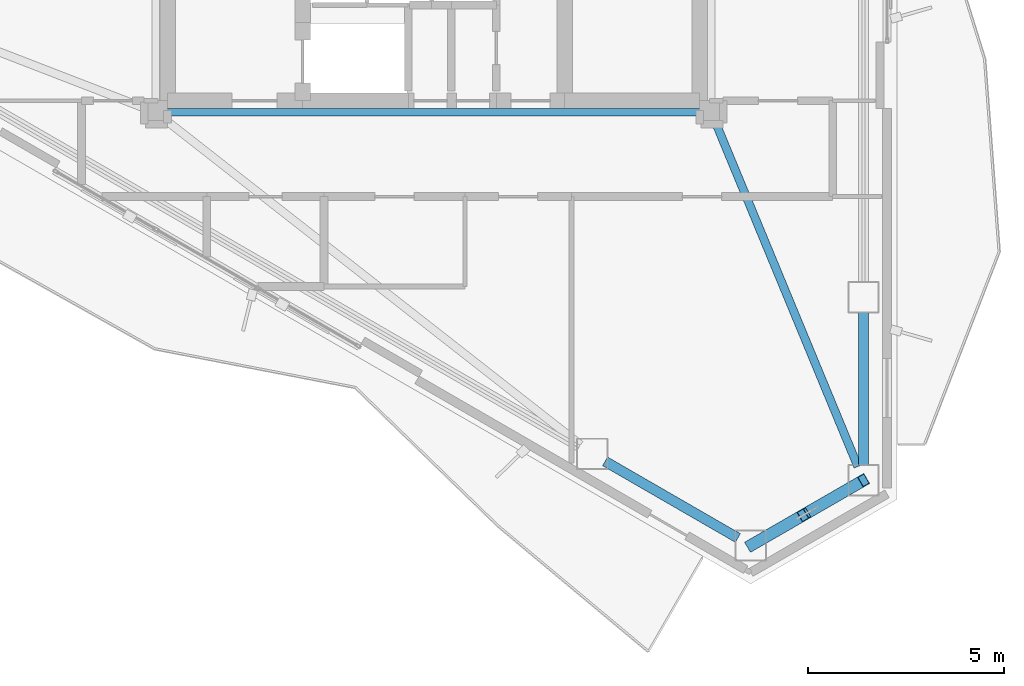
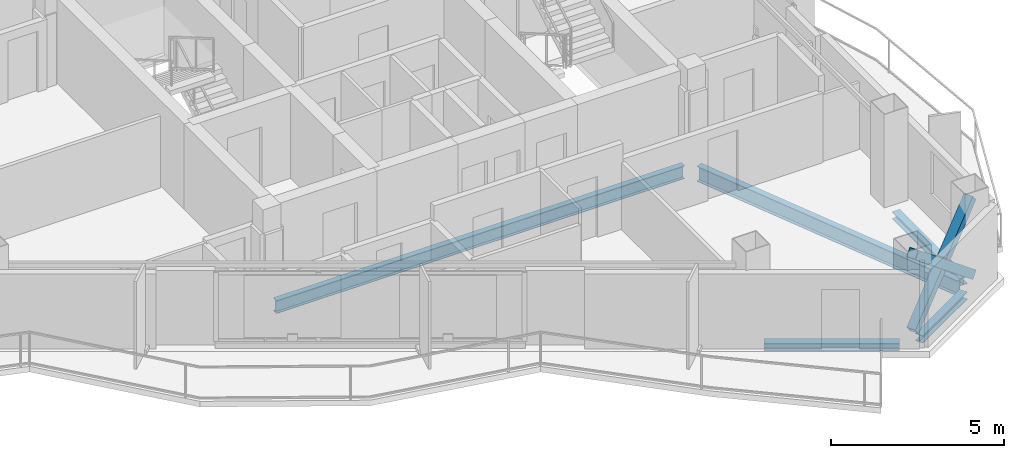
# One storey, part 5 of 21: 5 beams, 3 members.
"""IFC4 building model written with IfcOpenShell, lengths in metres."""

import ifcopenshell
import ifcopenshell.guid

model = None  # the IFC model being written
_history = None  # IfcOwnerHistory: only IFC2X3 demands one
_inside = {}  # id of a spatial element -> (the spatial element, [elements in it])
_under = {}  # id of a project, library or spatial element -> (it, [spatial elements below it])
_declared = {}  # id of a project -> (the project, [libraries it declares])
_typed = {}  # id of a type object -> (the type object, [elements of that type])
_made_of = {}  # id of a material, layer set ... -> (it, [elements and type objects made of it])


def new_model(schema):
    """Start an empty IFC model of exactly this schema.

    Asked for "IFC4X3", IfcOpenShell would pick the latest addendum, in which some entities
    have other attributes; the version numbers below select the first issue.
    IFC2X3 requires an IfcOwnerHistory on every rooted entity: one is made here for all.
    """
    global model, _history
    if schema == "IFC4X3":
        model = ifcopenshell.file(schema_version=(4, 3, 0, 0))
    else:
        model = ifcopenshell.file(schema=schema)
    _inside.clear()
    _under.clear()
    _declared.clear()
    _typed.clear()
    _made_of.clear()
    _history = None
    if model.schema == "IFC2X3":
        org = make("IfcOrganization", Name="unknown")
        user = make(
            "IfcPersonAndOrganization",
            ThePerson=make("IfcPerson", FamilyName="unknown"),
            TheOrganization=org,
        )
        app = make(
            "IfcApplication",
            ApplicationDeveloper=org,
            Version="unknown",
            ApplicationFullName="unknown",
            ApplicationIdentifier="unknown",
        )
        _history = make(
            "IfcOwnerHistory",
            OwningUser=user,
            OwningApplication=app,
            ChangeAction="ADDED",
            CreationDate=0,
        )
    return model


def make(cls, **values):
    """One entity of the class cls with the attributes given. An attribute that is None is left unset."""
    return model.create_entity(
        cls, **{name: value for name, value in values.items() if value is not None}
    )


def rooted(cls, **values):
    """An entity with a GlobalId (a new one), such as an element, a storey or a relation."""
    return make(cls, GlobalId=ifcopenshell.guid.new(), OwnerHistory=_history, **values)


def si_unit(unit_type, name, prefix=None):
    """IfcSIUnit, for example si_unit("LENGTHUNIT", "METRE", prefix="MILLI")."""
    return make("IfcSIUnit", UnitType=unit_type, Prefix=prefix, Name=name)


def assignment(units):
    """IfcUnitAssignment: the units of a project."""
    return None if units is None else make("IfcUnitAssignment", Units=units)


def point(xyz):
    """IfcCartesianPoint."""
    return None if xyz is None else make("IfcCartesianPoint", Coordinates=xyz)


def direction(xyz):
    """IfcDirection."""
    return None if xyz is None else make("IfcDirection", DirectionRatios=xyz)


def frame(location, z_axis=None, x_axis=None):
    """IfcAxis2Placement3D, a coordinate frame: its origin and axes. An axis left out is left unset."""
    return make(
        "IfcAxis2Placement3D",
        Location=point(location),
        Axis=direction(z_axis),
        RefDirection=direction(x_axis),
    )


def frame_2d(location, x_axis=None):
    """IfcAxis2Placement2D, a coordinate frame in the plane: its origin and x axis."""
    return make(
        "IfcAxis2Placement2D", Location=point(location), RefDirection=direction(x_axis)
    )


def origin():
    """The frame at (0, 0, 0) with its axes left unset."""
    return frame((0.0, 0.0, 0.0))


def origin_2d():
    """The frame at (0, 0) in the plane with its x axis left unset."""
    return frame_2d((0.0, 0.0))


def place(relative_to, where):
    """IfcLocalPlacement: puts the frame where relative to a parent placement (None: the world)."""
    return make(
        "IfcLocalPlacement", PlacementRelTo=relative_to, RelativePlacement=where
    )


def context(
    kind, dimensions, precision=None, world=None, true_north=None, identifier=None
):
    """IfcGeometricRepresentationContext, for example the 3D "Model" context."""
    return make(
        "IfcGeometricRepresentationContext",
        ContextIdentifier=identifier,
        ContextType=kind,
        CoordinateSpaceDimension=dimensions,
        Precision=precision,
        WorldCoordinateSystem=world,
        TrueNorth=true_north,
    )


def subcontext(parent, identifier, kind, view, scale=None):
    """IfcGeometricRepresentationSubContext, for example "Body" below "Model"."""
    return make(
        "IfcGeometricRepresentationSubContext",
        ContextIdentifier=identifier,
        ContextType=kind,
        ParentContext=parent,
        TargetScale=scale,
        TargetView=view,
    )


def project(units=None, contexts=None):
    """IfcProject with its units and contexts."""
    return rooted(
        "IfcProject",
        Name="project",
        RepresentationContexts=contexts,
        UnitsInContext=assignment(units),
    )


def spatial(cls, under=None, at=None, **own):
    """A site, building, storey or space (cls), placed at a placement, below another one or the project."""
    s = rooted(cls, ObjectPlacement=at, **own)
    if under is not None:
        _under.setdefault(under.id(), (under, []))[1].append(s)
    return s


def profile(cls, at=None, kind="AREA", **sizes):
    """A parametric profile (cls). Its sizes go by their IFC names, for example OverallWidth=200.0."""
    return make(cls, ProfileType=kind, Position=at, **sizes)


def hollow_rectangle(**sizes):
    """IfcRectangleHollowProfileDef."""
    return profile("IfcRectangleHollowProfileDef", **sizes)


def i_section(**sizes):
    """IfcIShapeProfileDef."""
    return profile("IfcIShapeProfileDef", **sizes)


def extrude(swept, where, along, depth):
    """IfcExtrudedAreaSolid: the profile swept, set in the frame where, extruded along a direction by depth."""
    return make(
        "IfcExtrudedAreaSolid",
        SweptArea=swept,
        Position=where,
        ExtrudedDirection=direction(along),
        Depth=depth,
    )


def shape(context_of_items, identifier, shape_type, items):
    """IfcShapeRepresentation: the items that make up one representation, for example the "Body"."""
    return make(
        "IfcShapeRepresentation",
        ContextOfItems=context_of_items,
        RepresentationIdentifier=identifier,
        RepresentationType=shape_type,
        Items=items,
    )


def material(Name=None, Category=None):
    """IfcMaterial."""
    return make("IfcMaterial", Name=Name, Category=Category)


def material_profile(
    of_material, cross_section, Name=None, Category=None, Priority=None
):
    """IfcMaterialProfile: a cross section and its material."""
    return make(
        "IfcMaterialProfile",
        Name=Name,
        Material=of_material,
        Profile=cross_section,
        Priority=Priority,
        Category=Category,
    )


def profile_set(profiles, Name=None, composite=None):
    """IfcMaterialProfileSet."""
    return make(
        "IfcMaterialProfileSet",
        Name=Name,
        MaterialProfiles=profiles,
        CompositeProfile=composite,
    )


def made_of(thing, what):
    """Note that an element or type object is made of a material, layer set ...; save() writes the relation."""
    if what is not None:
        _made_of.setdefault(what.id(), (what, []))[1].append(thing)
    return thing


def type_object(cls, material=None, **own):
    """A type object (cls), such as IfcWallType, which elements share."""
    return made_of(rooted(cls, **own), material)


def element(
    cls,
    number,
    at=None,
    inside=None,
    cuts=None,
    type_object=None,
    material=None,
    context=None,
    identifier="Body",
    shape_type=None,
    held_by="IfcProductDefinitionShape",
    body=None,
    shapes=None,
    **own,
):
    """One element of the class cls, such as IfcWall. Its Tag is "e" and its number.

    at: its placement. inside: the storey or other place that contains it. cuts: it is an
    opening in that element (IfcRelVoidsElement). A single representation is given by context,
    identifier, shape_type and body (its items); several are given by shapes. held_by: the class
    of the entity that holds the representations. save() writes the other relations.
    """
    e = rooted(cls, Tag="e%d" % number, ObjectPlacement=at, **own)
    if body is not None:
        shapes = [shape(context, identifier, shape_type, body)]
    if shapes is not None:
        e.Representation = make(held_by, Representations=shapes)
    if inside is not None:
        _inside.setdefault(inside.id(), (inside, []))[1].append(e)
    if cuts is not None:
        rooted(
            "IfcRelVoidsElement", RelatingBuildingElement=cuts, RelatedOpeningElement=e
        )
    if type_object is not None:
        _typed.setdefault(type_object.id(), (type_object, []))[1].append(e)
    return made_of(e, material)


def aggregate(whole, parts):
    """IfcRelAggregates: a whole, such as a stair, and the parts it consists of."""
    return rooted("IfcRelAggregates", RelatingObject=whole, RelatedObjects=parts)


def save(model, path):
    """Write the relations noted so far, then the file.

    IfcRelAggregates (storeys below a building ...), IfcRelContainedInSpatialStructure (elements
    in a storey), IfcRelDefinesByType, IfcRelAssociatesMaterial and IfcRelDeclares: one each for
    every whole, place, type object, material and project.
    """
    for whole, parts in _under.values():
        aggregate(whole, parts)
    for where, things in _inside.values():
        rooted(
            "IfcRelContainedInSpatialStructure",
            RelatedElements=things,
            RelatingStructure=where,
        )
    for kind, things in _typed.values():
        rooted("IfcRelDefinesByType", RelatedObjects=things, RelatingType=kind)
    for what, things in _made_of.values():
        rooted("IfcRelAssociatesMaterial", RelatedObjects=things, RelatingMaterial=what)
    for by, libraries in _declared.values():
        rooted("IfcRelDeclares", RelatingContext=by, RelatedDefinitions=libraries)
    model.write(path)


model = new_model("IFC4")

# Units and contexts
model_context = context("Model", 3, precision=1e-05, world=origin(), true_north=direction((0.0, 1.0)))
body_context = subcontext(model_context, "Body", "Model", "MODEL_VIEW")
ifc_project = project(units=[si_unit("LENGTHUNIT", "METRE"), si_unit("AREAUNIT", "SQUARE_METRE"), si_unit("VOLUMEUNIT", "CUBIC_METRE"), si_unit("PLANEANGLEUNIT", "RADIAN"), si_unit("MASSUNIT", "GRAM", prefix="KILO")], contexts=[model_context])

# Site, building, storey
site_placement = place(None, origin())
site = spatial("IfcSite", under=ifc_project, at=site_placement, CompositionType="ELEMENT")
building_placement = place(site_placement, origin())
building = spatial("IfcBuilding", under=site, at=building_placement, Name="Mersakhor Tower and Convention Hall", CompositionType="ELEMENT")
storey_placement = place(building_placement, frame((0.0, 0.0, 215.10009765625)))
storey = spatial("IfcBuildingStorey", under=building, at=storey_placement, Name="L60", CompositionType="ELEMENT", Elevation=215.10009765625)

# Beams
ifc_material_1 = material(Name="Steel S355", Category="steel")
ifc_material_profile_1 = material_profile(ifc_material_1, i_section(OverallWidth=0.19140625, OverallDepth=0.4599609375, WebThickness=0.010009765625, FlangeThickness=0.01611328125, at=origin_2d()), Name="UB 457x191x82")
ifc_profile_set_1 = profile_set([ifc_material_profile_1], Name="Steel S355")
beam_type_1 = type_object("IfcBeamType", Name="BM-FB-457", PredefinedType="BEAM", material=ifc_profile_set_1)
beam_1_placement = place(storey_placement, frame((35.820068359375, 20.449951171875, -0.460205078125), z_axis=(-1.0, 0.0, 0.0), x_axis=(0.0, -1.0, 0.0)))
element("IfcBeam", 1, at=beam_1_placement, inside=storey, type_object=beam_type_1, Name="L60 Core Ring Tie Beam CRB-4", PredefinedType="BEAM", context=body_context, shape_type="SweptSolid", body=[
    extrude(i_section(OverallWidth=0.19140625, OverallDepth=0.4599609375, WebThickness=0.010009765625, FlangeThickness=0.01611328125, at=origin_2d()), origin(), (0.0, 0.0, 1.0), 13.64013671875),
])
ifc_material_2 = material(Name="Steel S355", Category="steel")
ifc_material_profile_2 = material_profile(ifc_material_2, i_section(OverallWidth=0.2099609375, OverallDepth=0.53662109375, WebThickness=0.0107421875, FlangeThickness=0.017333984375, at=origin_2d()), Name="UB 533x210x101")
ifc_profile_set_2 = profile_set([ifc_material_profile_2], Name="Steel S355")
beam_type_2 = type_object("IfcBeamType", Name="BM-FB-533", PredefinedType="BEAM", material=ifc_profile_set_2)
beam_2_placement = place(storey_placement, frame((36.20703125, 20.19140625, -0.498291015625), z_axis=(0.382178028302, -0.924088715808, 0.0), x_axis=(0.924088715808, 0.382178028302, 0.0)))
element("IfcBeam", 2, at=beam_2_placement, inside=storey, type_object=beam_type_2, Name="L60 Primary Floor Girder FG-4", PredefinedType="BEAM", context=body_context, shape_type="SweptSolid", body=[
    extrude(i_section(OverallWidth=0.2099609375, OverallDepth=0.53662109375, WebThickness=0.0107421875, FlangeThickness=0.017333984375, at=origin_2d()), origin(), (0.0, 0.0, 1.0), 9.514404296875),
])
ifc_material_3 = material(Name="Steel S355", Category="steel")
ifc_material_profile_3 = material_profile(ifc_material_3, i_section(OverallWidth=0.25634765625, OverallDepth=0.26025390625, WebThickness=0.01025390625, FlangeThickness=0.017333984375, at=origin_2d()), Name="UC 254x254x89")
ifc_profile_set_3 = profile_set([ifc_material_profile_3], Name="Steel S355")
beam_type_3 = type_object("IfcBeamType", Name="BM-SPD-UC254", PredefinedType="SPANDREL", material=ifc_profile_set_3)
beam_3_placement = place(storey_placement, frame((39.98828125, 15.34716796875, -0.360107421875), z_axis=(0.0, -1.0, 0.0), x_axis=(1.0, 0.0, 0.0)))
element("IfcBeam", 3, at=beam_3_placement, inside=storey, type_object=beam_type_3, Name="L60 Perimeter Spandrel Beam SPB-07", PredefinedType="SPANDREL", context=body_context, shape_type="SweptSolid", body=[
    extrude(i_section(OverallWidth=0.25634765625, OverallDepth=0.26025390625, WebThickness=0.01025390625, FlangeThickness=0.017333984375, at=origin_2d()), origin(), (0.0, 0.0, 1.0), 3.919189453125),
])
beam_4_placement = place(storey_placement, frame((39.6591796875, 10.85791015625, -0.360107421875), z_axis=(-0.866036909293, -0.499980071345, 0.0), x_axis=(0.499980071345, -0.866036909293, 0.0)))
element("IfcBeam", 4, at=beam_4_placement, inside=storey, type_object=beam_type_3, Name="L60 Perimeter Spandrel Beam SPB-08", PredefinedType="SPANDREL", context=body_context, shape_type="SweptSolid", body=[
    extrude(i_section(OverallWidth=0.25634765625, OverallDepth=0.26025390625, WebThickness=0.01025390625, FlangeThickness=0.017333984375, at=origin_2d()), origin(), (0.0, 0.0, 1.0), 2.5703125),
])
beam_5_placement = place(storey_placement, frame((36.77490234375, 9.57275390625, -0.360107421875), z_axis=(-0.866007153761, 0.500031608635, 0.0), x_axis=(-0.500031608635, -0.866007153761, 0.0)))
element("IfcBeam", 5, at=beam_5_placement, inside=storey, type_object=beam_type_3, Name="L60 Perimeter Spandrel Beam SPB-09", PredefinedType="SPANDREL", context=body_context, shape_type="SweptSolid", body=[
    extrude(i_section(OverallWidth=0.25634765625, OverallDepth=0.26025390625, WebThickness=0.01025390625, FlangeThickness=0.017333984375, at=origin_2d()), origin(), (0.0, 0.0, 1.0), 3.919189453125),
])

# Members
ifc_material_4 = material(Name="Steel S355", Category="steel")
ifc_material_profile_4 = material_profile(ifc_material_4, hollow_rectangle(XDim=0.300048828125, YDim=0.300048828125, WallThickness=0.01611328125, at=origin_2d()), Name="SHS 300x300x16")
ifc_profile_set_4 = profile_set([ifc_material_profile_4], Name="Steel S355")
member_type = type_object("IfcMemberType", Name="MB-BRC-SHS300", PredefinedType="BRACE", material=ifc_profile_set_4)
member_1_placement = place(storey_placement, frame((39.98828125, 11.048095703125, 0.14990234375), z_axis=(-0.670753746549, -0.387270298393, 0.632543379914), x_axis=(0.50001011158, -0.866019565782, 0.0)))
element("IfcMember", 6, at=member_1_placement, inside=storey, type_object=member_type, Name="L60 Chamfer Braced Frame Diagonal CB-2A", PredefinedType="BRACE", context=body_context, shape_type="SweptSolid", body=[
    extrude(hollow_rectangle(XDim=0.300048828125, YDim=0.300048828125, WallThickness=0.01611328125, at=origin_2d()), origin(), (0.0, 0.0, 1.0), 4.300048828125),
])
member_2_placement = place(storey_placement, frame((37.10400390625, 9.3828125, 0.14990234375), z_axis=(0.670798814481, 0.387258967921, 0.632502523517), x_axis=(-0.499973944738, 0.866040446274, 0.0)))
element("IfcMember", 7, at=member_2_placement, inside=storey, type_object=member_type, Name="L60 Chamfer Braced Frame Diagonal CB-2B Lower Half", PredefinedType="BRACE", context=body_context, shape_type="SweptSolid", body=[
    extrude(hollow_rectangle(XDim=0.300048828125, YDim=0.300048828125, WallThickness=0.01611328125, at=origin_2d()), origin(), (0.0, 0.0, 1.0), 1.989013671875),
])
member_3_placement = place(storey_placement, frame((38.654296875, 10.27783203125, 1.61181640625), z_axis=(0.670731293101, 0.387290854637, 0.632554603468), x_axis=(-0.500042569876, 0.86600082466, 0.0)))
element("IfcMember", 8, at=member_3_placement, inside=storey, type_object=member_type, Name="L60 Chamfer Braced Frame Diagonal CB-2B Upper Half", PredefinedType="BRACE", context=body_context, shape_type="SweptSolid", body=[
    extrude(hollow_rectangle(XDim=0.300048828125, YDim=0.300048828125, WallThickness=0.01611328125, at=origin_2d()), origin(), (0.0, 0.0, 1.0), 1.98876953125),
])

save(model, "model.ifc")
